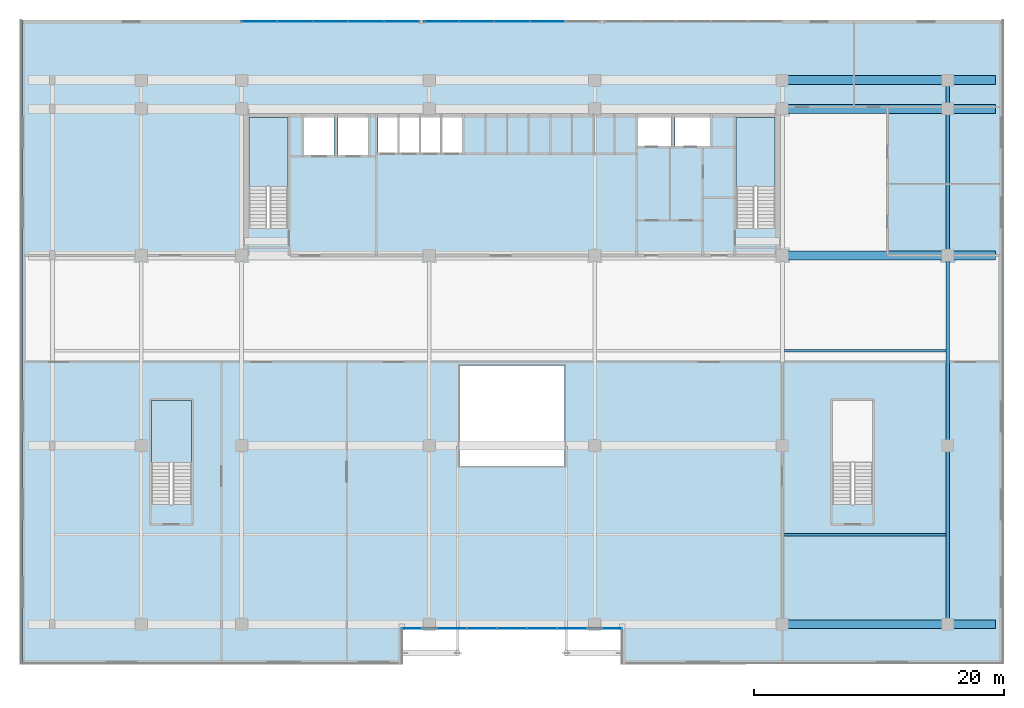
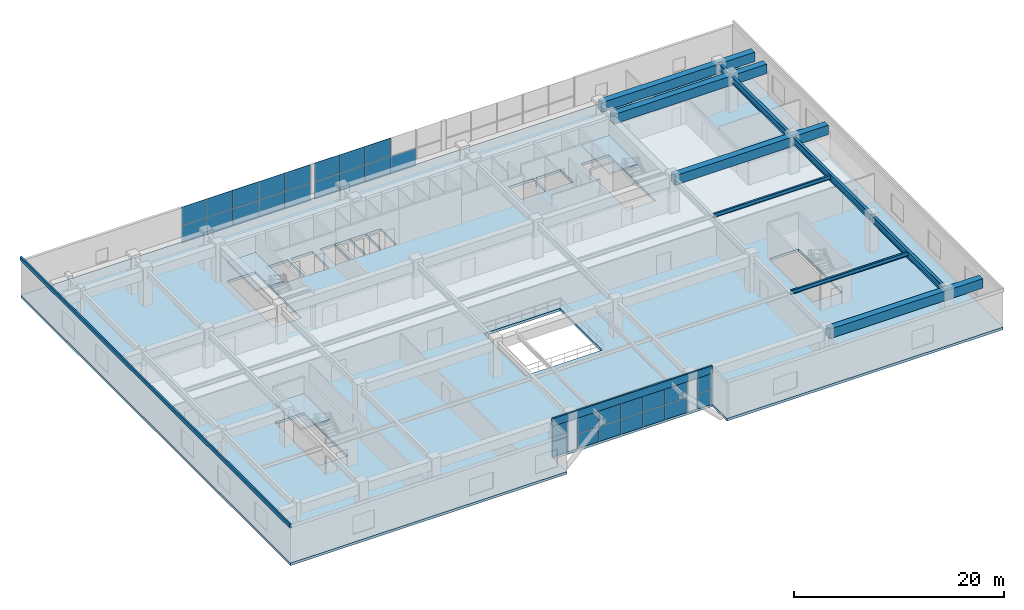
# One storey, part 10 of 21: 33 plates, 10 beams, 4 slabs, 8 elements without a shape of their own.
"""IFC4 building model written with IfcOpenShell, lengths in metres."""

from ifc_helpers import new_model, si_unit, direction, frame, origin, origin_2d, place, context, subcontext, project, spatial, polyline, rectangle, i_section, outline, extrude, source, transform, mapped, material, layer, layer_set, material_profile, profile_set, type_object, element, aggregate, save


model = new_model("IFC4")

# Units and contexts
model_context = context("Model", 3, precision=1e-05, world=origin(), true_north=direction((0.0, 1.0)))
body_context = subcontext(model_context, "Body", "Model", "MODEL_VIEW")
ifc_project = project(units=[si_unit("LENGTHUNIT", "METRE"), si_unit("AREAUNIT", "SQUARE_METRE"), si_unit("VOLUMEUNIT", "CUBIC_METRE"), si_unit("PLANEANGLEUNIT", "RADIAN"), si_unit("MASSUNIT", "GRAM", prefix="KILO")], contexts=[model_context])

# Site, building, storey
site_placement = place(None, origin())
site = spatial("IfcSite", under=ifc_project, at=site_placement, CompositionType="ELEMENT")
building_placement = place(site_placement, origin())
building = spatial("IfcBuilding", under=site, at=building_placement, Name="Trelvane Seafront Commons", CompositionType="ELEMENT")
storey_placement = place(building_placement, frame((0.0, 0.0, 14.199951171875)))
storey = spatial("IfcBuildingStorey", under=building, at=storey_placement, Name="L03", CompositionType="ELEMENT", Elevation=14.199951171875)

# Beams
ifc_material_1 = material(Name="Steel SM355 (S355)", Category="steel")
ifc_material_profile_1 = material_profile(ifc_material_1, i_section(OverallWidth=0.300048828125, OverallDepth=0.800048828125, WebThickness=0.013916015625, FlangeThickness=0.02587890625, at=origin_2d()), Name="H-800x300x14x26")
ifc_profile_set_1 = profile_set([ifc_material_profile_1], Name="Steel SM355 (S355)")
beam_type_1 = type_object("IfcBeamType", Name="STR-BM-H800", PredefinedType="BEAM", material=ifc_profile_set_1)
shared_shape_1 = source(origin(), body_context, "Body", "SweptSolid", [
    extrude(i_section(OverallWidth=0.300048828125, OverallDepth=0.800048828125, WebThickness=0.013916015625, FlangeThickness=0.02587890625, at=origin_2d()), origin(), (0.0, 0.0, 1.0), 13.949951171875),
])
beam_1_placement = place(storey_placement, frame((72.0, 4.10009765625, 3.75), z_axis=(0.0, 1.0, 0.0), x_axis=(-1.0, 0.0, 0.0)))
element("IfcBeam", 1, at=beam_1_placement, inside=storey, type_object=beam_type_1, Name="L03 Primary Girder G-55", PredefinedType="BEAM", context=body_context, shape_type="MappedRepresentation", body=[
    mapped(shared_shape_1, transform((0.0, 0.0, 0.0), x_axis=(1.0, 0.0, 0.0), y_axis=(0.0, 1.0, 0.0), z_axis=(0.0, 0.0, 1.0), scale=1.0)),
])
shared_shape_2 = source(origin(), body_context, "Body", "SweptSolid", [
    extrude(i_section(OverallWidth=0.300048828125, OverallDepth=0.800048828125, WebThickness=0.013916015625, FlangeThickness=0.02587890625, at=origin_2d()), origin(), (0.0, 0.0, 1.0), 14.89990234375),
])
beam_2_placement = place(storey_placement, frame((72.0, 18.35009765625, 3.75), z_axis=(0.0, 1.0, 0.0), x_axis=(-1.0, 0.0, 0.0)))
element("IfcBeam", 2, at=beam_2_placement, inside=storey, type_object=beam_type_1, Name="L03 Primary Girder G-56", PredefinedType="BEAM", context=body_context, shape_type="MappedRepresentation", body=[
    mapped(shared_shape_2, transform((0.0, 0.0, 0.0), x_axis=(1.0, 0.0, 0.0), y_axis=(0.0, 1.0, 0.0), z_axis=(0.0, 0.0, 1.0), scale=1.0)),
])
shared_shape_3 = source(origin(), body_context, "Body", "SweptSolid", [
    extrude(i_section(OverallWidth=0.300048828125, OverallDepth=0.800048828125, WebThickness=0.013916015625, FlangeThickness=0.02587890625, at=origin_2d()), origin(), (0.0, 0.0, 1.0), 11.39990234375),
])
beam_3_placement = place(storey_placement, frame((72.0, 33.550048828125, 3.75), z_axis=(0.0, 1.0, 0.0), x_axis=(-1.0, 0.0, 0.0)))
element("IfcBeam", 3, at=beam_3_placement, inside=storey, type_object=beam_type_1, Name="L03 Primary Girder G-57", PredefinedType="BEAM", context=body_context, shape_type="MappedRepresentation", body=[
    mapped(shared_shape_3, transform((0.0, 0.0, 0.0), x_axis=(1.0, 0.0, 0.0), y_axis=(0.0, 1.0, 0.0), z_axis=(0.0, 0.0, 1.0), scale=1.0)),
])
shared_shape_4 = source(origin(), body_context, "Body", "SweptSolid", [
    extrude(i_section(OverallWidth=0.300048828125, OverallDepth=0.800048828125, WebThickness=0.013916015625, FlangeThickness=0.02587890625, at=origin_2d()), origin(), (0.0, 0.0, 1.0), 2.0),
])
beam_4_placement = place(storey_placement, frame((72.0, 45.25, 3.75), z_axis=(0.0, 1.0, 0.0), x_axis=(-1.0, 0.0, 0.0)))
element("IfcBeam", 4, at=beam_4_placement, inside=storey, type_object=beam_type_1, Name="L03 Primary Girder G-58", PredefinedType="BEAM", context=body_context, shape_type="MappedRepresentation", body=[
    mapped(shared_shape_4, transform((0.0, 0.0, 0.0), x_axis=(1.0, 0.0, 0.0), y_axis=(0.0, 1.0, 0.0), z_axis=(0.0, 0.0, 1.0), scale=1.0)),
])
ifc_material_profile_2 = material_profile(ifc_material_1, i_section(OverallWidth=0.199951171875, OverallDepth=0.449951171875, WebThickness=0.009033203125, FlangeThickness=0.013916015625, at=origin_2d()), Name="H-450x200x9x14")
ifc_profile_set_2 = profile_set([ifc_material_profile_2], Name="Steel SM355 (S355)")
beam_type_2 = type_object("IfcBeamType", Name="STR-JST-H450", PredefinedType="JOIST", material=ifc_profile_set_2)
shared_shape_5 = source(origin(), body_context, "Body", "SweptSolid", [
    extrude(i_section(OverallWidth=0.199951171875, OverallDepth=0.449951171875, WebThickness=0.009033203125, FlangeThickness=0.013916015625, at=origin_2d()), origin(), (0.0, 0.0, 1.0), 12.900146484375),
])
for number, where, z_axis, x_axis, name in (
    (5, (58.949951171875, 11.074951171875, 3.925048828125), (1.0, 0.0, 0.0), (0.0, 1.0, 0.0), "L03 Secondary Floor Joist B-64"),
    (6, (58.949951171875, 25.800048828125, 3.925048828125), (1.0, 0.0, 0.0), (0.0, 1.0, 0.0), "L03 Secondary Floor Joist B-70"),
):
    element("IfcBeam", number, at=place(storey_placement, frame(where, z_axis=z_axis, x_axis=x_axis)), inside=storey, type_object=beam_type_2, Name=name, PredefinedType="JOIST", context=body_context, shape_type="MappedRepresentation", body=[
        mapped(shared_shape_5, transform((0.0, 0.0, 0.0), x_axis=(1.0, 0.0, 0.0), y_axis=(0.0, 1.0, 0.0), z_axis=(0.0, 0.0, 1.0), scale=1.0)),
    ])
ifc_material_2 = material(Name="Concrete C50/60", Category="concrete")
ifc_material_profile_3 = material_profile(ifc_material_2, rectangle(XDim=0.699951171875, YDim=1.10009765625, at=origin_2d()), Name="RC-700x1100")
ifc_profile_set_3 = profile_set([ifc_material_profile_3], Name="Concrete C50/60")
beam_type_3 = type_object("IfcBeamType", Name="STR-TBM-RC700x1100", PredefinedType="T_BEAM", material=ifc_profile_set_3)
shared_shape_6 = source(origin(), body_context, "Body", "SweptSolid", [
    extrude(rectangle(XDim=0.699951171875, YDim=1.10009765625, at=origin_2d()), origin(), (0.0, 0.0, 1.0), 16.85009765625),
])
for number, where, z_axis, x_axis, name in (
    (7, (58.949951171875, 3.949951171875, 3.60009765625), (1.0, 0.0, 0.0), (0.0, 1.0, 0.0), "L03 Primary Girder G-06"),
    (8, (58.949951171875, 33.39990234375, 3.60009765625), (1.0, 0.0, 0.0), (0.0, 1.0, 0.0), "L03 Primary Girder G-18"),
    (9, (58.949951171875, 45.10009765625, 3.60009765625), (1.0, 0.0, 0.0), (0.0, 1.0, 0.0), "L03 Primary Girder G-24"),
    (10, (58.949951171875, 47.39990234375, 3.60009765625), (1.0, 0.0, 0.0), (0.0, 1.0, 0.0), "L03 Primary Girder G-30"),
):
    element("IfcBeam", number, at=place(storey_placement, frame(where, z_axis=z_axis, x_axis=x_axis)), inside=storey, type_object=beam_type_3, Name=name, PredefinedType="T_BEAM", context=body_context, shape_type="MappedRepresentation", body=[
        mapped(shared_shape_6, transform((0.0, 0.0, 0.0), x_axis=(1.0, 0.0, 0.0), y_axis=(0.0, 1.0, 0.0), z_axis=(0.0, 0.0, 1.0), scale=1.0)),
    ])

# Stair, slab
ifc_material_3 = material(Name="Concrete C40/50", Category="concrete")
stair_type_1 = type_object("IfcStairType", Name="ARCH-STR-ST-1-R26-173", PredefinedType="HALF_TURN_STAIR", material=ifc_material_3)
stair_1_placement = place(storey_placement, origin())
stair_1 = element("IfcStair", 11, at=stair_1_placement, inside=storey, type_object=stair_type_1, Name="L03 West Protected Firefighting Exit Stair ST-1", PredefinedType="HALF_TURN_STAIR")
ifc_layer_1 = layer(ifc_material_3, 0.199951171875, Name="ARCH-LND-200")
ifc_layer_set_1 = layer_set([ifc_layer_1], Name="Concrete C40/50")
slab_type_1 = type_object("IfcSlabType", Name="ARCH-LND-200", PredefinedType="LANDING", material=ifc_layer_set_1)
slab_1_placement = place(storey_placement, frame((0.0, 0.0, 2.050048828125)))
slab_1 = element("IfcSlab", 12, at=slab_1_placement, type_object=slab_type_1, Name="ST-1 landing 1", PredefinedType="LANDING", context=body_context, shape_type="SweptSolid", body=[
    extrude(outline(polyline([(19.300048828125, 38.909912109375), (19.300048828125, 44.39990234375), (16.199951171875, 44.39990234375), (16.199951171875, 38.909912109375), (19.300048828125, 38.909912109375)])), origin(), (0.0, 0.0, 1.0), 0.199951171875),
])
aggregate(stair_1, [slab_1])

stair_type_2 = type_object("IfcStairType", Name="ARCH-STR-ST-2-R26-173", PredefinedType="HALF_TURN_STAIR", material=ifc_material_3)
stair_2_placement = place(storey_placement, origin())
stair_2 = element("IfcStair", 13, at=stair_2_placement, inside=storey, type_object=stair_type_2, Name="L03 East Protected Firefighting Exit Stair ST-2", PredefinedType="HALF_TURN_STAIR")
slab_2_placement = place(storey_placement, frame((0.0, 0.0, 2.050048828125)))
slab_2 = element("IfcSlab", 14, at=slab_2_placement, type_object=slab_type_1, Name="ST-2 landing 1", PredefinedType="LANDING", context=body_context, shape_type="SweptSolid", body=[
    extrude(outline(polyline([(58.199951171875, 38.909912109375), (58.199951171875, 44.39990234375), (55.10009765625, 44.39990234375), (55.10009765625, 38.909912109375), (58.199951171875, 38.909912109375)])), origin(), (0.0, 0.0, 1.0), 0.199951171875),
])
aggregate(stair_2, [slab_2])

stair_type_3 = type_object("IfcStairType", Name="ARCH-STR-ST-3-R26-173", PredefinedType="HALF_TURN_STAIR", material=ifc_material_3)
stair_3_placement = place(storey_placement, origin())
stair_3 = element("IfcStair", 15, at=stair_3_placement, inside=storey, type_object=stair_type_3, Name="L03 Podium Commons West Promenade Stair ST-3", PredefinedType="HALF_TURN_STAIR")
slab_3_placement = place(storey_placement, frame((0.0, 0.0, 2.050048828125)))
slab_3 = element("IfcSlab", 16, at=slab_3_placement, type_object=slab_type_1, Name="ST-3 landing 1", PredefinedType="LANDING", context=body_context, shape_type="SweptSolid", body=[
    extrude(outline(polyline([(11.60009765625, 16.860107421875), (11.60009765625, 21.800048828125), (8.39990234375, 21.800048828125), (8.39990234375, 16.860107421875), (11.60009765625, 16.860107421875)])), origin(), (0.0, 0.0, 1.0), 0.199951171875),
])
aggregate(stair_3, [slab_3])

# Slab
ifc_layer_2 = layer(ifc_material_2, 0.300048828125, Name="STR-SLB-P300")
ifc_layer_set_2 = layer_set([ifc_layer_2], Name="Concrete C50/60")
slab_type_2 = type_object("IfcSlabType", Name="STR-SLB-P300", PredefinedType="FLOOR", material=ifc_layer_set_2)
slab_4_placement = place(storey_placement, frame((0.0, 0.0, -0.300048828125)))
element("IfcSlab", 17, at=slab_4_placement, inside=storey, type_object=slab_type_2, Name="L03 Structural Floor Slab", PredefinedType="FLOOR", context=body_context, shape_type="SweptSolid", body=[
    extrude(outline(polyline([(-2.0, 0.800048828125), (28.39990234375, 0.800048828125), (28.39990234375, 3.60009765625), (46.0, 3.60009765625), (46.0, 0.800048828125), (76.39990234375, 0.800048828125), (76.39990234375, 52.199951171875), (-2.0, 52.199951171875), (-2.0, 0.800048828125)]), holes=[polyline([(11.60009765625, 13.5), (8.39990234375, 13.5), (8.39990234375, 21.800048828125), (11.60009765625, 21.800048828125), (11.60009765625, 13.5)]), polyline([(16.199951171875, 35.550048828125), (16.199951171875, 44.39990234375), (19.300048828125, 44.39990234375), (19.300048828125, 35.550048828125), (16.199951171875, 35.550048828125)]), polyline([(20.60009765625, 41.39990234375), (20.60009765625, 44.60009765625), (23.0, 44.60009765625), (23.0, 41.39990234375), (20.60009765625, 41.39990234375)]), polyline([(25.699951171875, 41.39990234375), (23.300048828125, 41.39990234375), (23.300048828125, 44.60009765625), (25.699951171875, 44.60009765625), (25.699951171875, 41.39990234375)]), polyline([(26.5, 41.60009765625), (26.5, 44.60009765625), (28.1201171875, 44.60009765625), (28.1201171875, 41.60009765625), (26.5, 41.60009765625)]), polyline([(28.199951171875, 41.60009765625), (28.199951171875, 44.60009765625), (29.820068359375, 44.60009765625), (29.820068359375, 41.60009765625), (28.199951171875, 41.60009765625)]), polyline([(31.52001953125, 41.60009765625), (29.89990234375, 41.60009765625), (29.89990234375, 44.60009765625), (31.52001953125, 44.60009765625), (31.52001953125, 41.60009765625)]), polyline([(62.800048828125, 13.5), (62.800048828125, 21.800048828125), (66.0, 21.800048828125), (66.0, 13.5), (62.800048828125, 13.5)]), polyline([(33.0, 16.60009765625), (33.0, 24.60009765625), (41.39990234375, 24.60009765625), (41.39990234375, 16.60009765625), (33.0, 16.60009765625)]), polyline([(55.10009765625, 35.550048828125), (55.10009765625, 44.39990234375), (58.199951171875, 44.39990234375), (58.199951171875, 35.550048828125), (55.10009765625, 35.550048828125)]), polyline([(31.60009765625, 41.60009765625), (31.60009765625, 44.60009765625), (33.219970703125, 44.60009765625), (33.219970703125, 41.60009765625), (31.60009765625, 41.60009765625)]), polyline([(47.25, 42.14990234375), (47.25, 44.550048828125), (49.949951171875, 44.550048828125), (49.949951171875, 42.14990234375), (47.25, 42.14990234375)]), polyline([(50.199951171875, 42.14990234375), (50.199951171875, 44.550048828125), (53.0, 44.550048828125), (53.0, 42.14990234375), (50.199951171875, 42.14990234375)])]), origin(), (0.0, 0.0, 1.0), 0.300048828125),
])

# Curtain wall, plates
ifc_material_4 = material(Name="Anodised pale-silver aluminium", Category="aluminium")
curtain_wall_type = type_object("IfcCurtainWallType", Name="ARCH-CW1-PODIUM", PredefinedType="NOTDEFINED", material=ifc_material_4)
curtain_wall_1_placement = place(storey_placement, origin())
curtain_wall_1 = element("IfcCurtainWall", 18, at=curtain_wall_1_placement, inside=storey, type_object=curtain_wall_type, Name="CW-L03-0019", PredefinedType="NOTDEFINED")
ifc_material_5 = material(Name="Low-E coastal double glazing", Category="glass")
ifc_layer_3 = layer(ifc_material_5, 0.033935546875, Name="ARCH-CW-GLAZ-34")
ifc_layer_set_3 = layer_set([ifc_layer_3], Name="Low-E coastal double glazing")
plate_type_1 = type_object("IfcPlateType", Name="ARCH-CW-GLAZ-34", PredefinedType="CURTAIN_PANEL", material=ifc_layer_set_3)
shared_shape_7 = source(origin(), body_context, "Body", "SweptSolid", [
    extrude(rectangle(XDim=2.81591796875, YDim=0.035888671875, at=origin_2d()), origin(), (0.0, 0.0, 1.0), 1.97412109375),
])
plate_1_placement = place(storey_placement, frame((17.02001953125, 52.070068359375, 0.0), z_axis=(0.0, 0.0, 1.0), x_axis=(1.0, 0.0, 0.0)))
plate_1 = element("IfcPlate", 19, at=plate_1_placement, type_object=plate_type_1, Name="CW-L03-0019-P00-1", PredefinedType="CURTAIN_PANEL", context=body_context, shape_type="MappedRepresentation", body=[
    mapped(shared_shape_7, transform((0.0, 0.0, 0.0), x_axis=(1.0, 0.0, 0.0), y_axis=(0.0, 1.0, 0.0), z_axis=(0.0, 0.0, 1.0), scale=1.0)),
])
plate_2_placement = place(storey_placement, frame((19.860107421875, 52.070068359375, 0.0), z_axis=(0.0, 0.0, 1.0), x_axis=(1.0, 0.0, 0.0)))
plate_2 = element("IfcPlate", 20, at=plate_2_placement, type_object=plate_type_1, Name="CW-L03-0019-P01-1", PredefinedType="CURTAIN_PANEL", context=body_context, shape_type="MappedRepresentation", body=[
    mapped(shared_shape_7, transform((0.0, 0.0, 0.0), x_axis=(1.0, 0.0, 0.0), y_axis=(0.0, 1.0, 0.0), z_axis=(0.0, 0.0, 1.0), scale=1.0)),
])
plate_3_placement = place(storey_placement, frame((22.699951171875, 52.070068359375, 0.0), z_axis=(0.0, 0.0, 1.0), x_axis=(1.0, 0.0, 0.0)))
plate_3 = element("IfcPlate", 21, at=plate_3_placement, type_object=plate_type_1, Name="CW-L03-0019-P02-1", PredefinedType="CURTAIN_PANEL", context=body_context, shape_type="MappedRepresentation", body=[
    mapped(shared_shape_7, transform((0.0, 0.0, 0.0), x_axis=(1.0, 0.0, 0.0), y_axis=(0.0, 1.0, 0.0), z_axis=(0.0, 0.0, 1.0), scale=1.0)),
])
plate_4_placement = place(storey_placement, frame((25.5400390625, 52.070068359375, 0.0), z_axis=(0.0, 0.0, 1.0), x_axis=(1.0, 0.0, 0.0)))
plate_4 = element("IfcPlate", 22, at=plate_4_placement, type_object=plate_type_1, Name="CW-L03-0019-P03-1", PredefinedType="CURTAIN_PANEL", context=body_context, shape_type="MappedRepresentation", body=[
    mapped(shared_shape_7, transform((0.0, 0.0, 0.0), x_axis=(1.0, 0.0, 0.0), y_axis=(0.0, 1.0, 0.0), z_axis=(0.0, 0.0, 1.0), scale=1.0)),
])
plate_5_placement = place(storey_placement, frame((28.3798828125, 52.070068359375, 0.0), z_axis=(0.0, 0.0, 1.0), x_axis=(1.0, 0.0, 0.0)))
plate_5 = element("IfcPlate", 23, at=plate_5_placement, type_object=plate_type_1, Name="CW-L03-0019-P04-1", PredefinedType="CURTAIN_PANEL", context=body_context, shape_type="MappedRepresentation", body=[
    mapped(shared_shape_7, transform((0.0, 0.0, 0.0), x_axis=(1.0, 0.0, 0.0), y_axis=(0.0, 1.0, 0.0), z_axis=(0.0, 0.0, 1.0), scale=1.0)),
])
shared_shape_8 = source(origin(), body_context, "Body", "SweptSolid", [
    extrude(rectangle(XDim=2.81591796875, YDim=0.035888671875, at=origin_2d()), origin(), (0.0, 0.0, 1.0), 2.139892578125),
])
plate_6_placement = place(storey_placement, frame((17.02001953125, 52.070068359375, 2.01025390625), z_axis=(0.0, 0.0, 1.0), x_axis=(1.0, 0.0, 0.0)))
plate_6 = element("IfcPlate", 24, at=plate_6_placement, type_object=plate_type_1, Name="CW-L03-0019-P00-2", PredefinedType="CURTAIN_PANEL", context=body_context, shape_type="MappedRepresentation", body=[
    mapped(shared_shape_8, transform((0.0, 0.0, 0.0), x_axis=(1.0, 0.0, 0.0), y_axis=(0.0, 1.0, 0.0), z_axis=(0.0, 0.0, 1.0), scale=1.0)),
])
plate_7_placement = place(storey_placement, frame((19.860107421875, 52.070068359375, 2.01025390625), z_axis=(0.0, 0.0, 1.0), x_axis=(1.0, 0.0, 0.0)))
plate_7 = element("IfcPlate", 25, at=plate_7_placement, type_object=plate_type_1, Name="CW-L03-0019-P01-2", PredefinedType="CURTAIN_PANEL", context=body_context, shape_type="MappedRepresentation", body=[
    mapped(shared_shape_8, transform((0.0, 0.0, 0.0), x_axis=(1.0, 0.0, 0.0), y_axis=(0.0, 1.0, 0.0), z_axis=(0.0, 0.0, 1.0), scale=1.0)),
])
plate_8_placement = place(storey_placement, frame((22.699951171875, 52.070068359375, 2.01025390625), z_axis=(0.0, 0.0, 1.0), x_axis=(1.0, 0.0, 0.0)))
plate_8 = element("IfcPlate", 26, at=plate_8_placement, type_object=plate_type_1, Name="CW-L03-0019-P02-2", PredefinedType="CURTAIN_PANEL", context=body_context, shape_type="MappedRepresentation", body=[
    mapped(shared_shape_8, transform((0.0, 0.0, 0.0), x_axis=(1.0, 0.0, 0.0), y_axis=(0.0, 1.0, 0.0), z_axis=(0.0, 0.0, 1.0), scale=1.0)),
])
plate_9_placement = place(storey_placement, frame((25.5400390625, 52.070068359375, 2.01025390625), z_axis=(0.0, 0.0, 1.0), x_axis=(1.0, 0.0, 0.0)))
plate_9 = element("IfcPlate", 27, at=plate_9_placement, type_object=plate_type_1, Name="CW-L03-0019-P03-2", PredefinedType="CURTAIN_PANEL", context=body_context, shape_type="MappedRepresentation", body=[
    mapped(shared_shape_8, transform((0.0, 0.0, 0.0), x_axis=(1.0, 0.0, 0.0), y_axis=(0.0, 1.0, 0.0), z_axis=(0.0, 0.0, 1.0), scale=1.0)),
])
plate_10_placement = place(storey_placement, frame((28.3798828125, 52.070068359375, 2.01025390625), z_axis=(0.0, 0.0, 1.0), x_axis=(1.0, 0.0, 0.0)))
plate_10 = element("IfcPlate", 28, at=plate_10_placement, type_object=plate_type_1, Name="CW-L03-0019-P04-2", PredefinedType="CURTAIN_PANEL", context=body_context, shape_type="MappedRepresentation", body=[
    mapped(shared_shape_8, transform((0.0, 0.0, 0.0), x_axis=(1.0, 0.0, 0.0), y_axis=(0.0, 1.0, 0.0), z_axis=(0.0, 0.0, 1.0), scale=1.0)),
])
aggregate(curtain_wall_1, [plate_1, plate_6, plate_2, plate_7, plate_3, plate_8, plate_4, plate_9, plate_5, plate_10])

curtain_wall_2_placement = place(storey_placement, origin())
curtain_wall_2 = element("IfcCurtainWall", 29, at=curtain_wall_2_placement, inside=storey, type_object=curtain_wall_type, Name="CW-L03-0020", PredefinedType="NOTDEFINED")
shared_shape_9 = source(origin(), body_context, "Body", "SweptSolid", [
    extrude(rectangle(XDim=2.77587890625, YDim=0.035888671875, at=origin_2d()), origin(), (0.0, 0.0, 1.0), 1.97412109375),
])
plate_11_placement = place(storey_placement, frame((31.60009765625, 52.070068359375, 0.0), z_axis=(0.0, 0.0, 1.0), x_axis=(1.0, 0.0, 0.0)))
plate_11 = element("IfcPlate", 30, at=plate_11_placement, type_object=plate_type_1, Name="CW-L03-0020-P00-1", PredefinedType="CURTAIN_PANEL", context=body_context, shape_type="MappedRepresentation", body=[
    mapped(shared_shape_9, transform((0.0, 0.0, 0.0), x_axis=(1.0, 0.0, 0.0), y_axis=(0.0, 1.0, 0.0), z_axis=(0.0, 0.0, 1.0), scale=1.0)),
])
plate_12_placement = place(storey_placement, frame((34.39990234375, 52.070068359375, 0.0), z_axis=(0.0, 0.0, 1.0), x_axis=(1.0, 0.0, 0.0)))
plate_12 = element("IfcPlate", 31, at=plate_12_placement, type_object=plate_type_1, Name="CW-L03-0020-P01-1", PredefinedType="CURTAIN_PANEL", context=body_context, shape_type="MappedRepresentation", body=[
    mapped(shared_shape_9, transform((0.0, 0.0, 0.0), x_axis=(1.0, 0.0, 0.0), y_axis=(0.0, 1.0, 0.0), z_axis=(0.0, 0.0, 1.0), scale=1.0)),
])
plate_13_placement = place(storey_placement, frame((37.199951171875, 52.070068359375, 0.0), z_axis=(0.0, 0.0, 1.0), x_axis=(1.0, 0.0, 0.0)))
plate_13 = element("IfcPlate", 32, at=plate_13_placement, type_object=plate_type_1, Name="CW-L03-0020-P02-1", PredefinedType="CURTAIN_PANEL", context=body_context, shape_type="MappedRepresentation", body=[
    mapped(shared_shape_9, transform((0.0, 0.0, 0.0), x_axis=(1.0, 0.0, 0.0), y_axis=(0.0, 1.0, 0.0), z_axis=(0.0, 0.0, 1.0), scale=1.0)),
])
plate_14_placement = place(storey_placement, frame((40.0, 52.070068359375, 0.0), z_axis=(0.0, 0.0, 1.0), x_axis=(1.0, 0.0, 0.0)))
plate_14 = element("IfcPlate", 33, at=plate_14_placement, type_object=plate_type_1, Name="CW-L03-0020-P03-1", PredefinedType="CURTAIN_PANEL", context=body_context, shape_type="MappedRepresentation", body=[
    mapped(shared_shape_9, transform((0.0, 0.0, 0.0), x_axis=(1.0, 0.0, 0.0), y_axis=(0.0, 1.0, 0.0), z_axis=(0.0, 0.0, 1.0), scale=1.0)),
])
shared_shape_10 = source(origin(), body_context, "Body", "SweptSolid", [
    extrude(rectangle(XDim=2.77587890625, YDim=0.035888671875, at=origin_2d()), origin(), (0.0, 0.0, 1.0), 2.139892578125),
])
plate_15_placement = place(storey_placement, frame((31.60009765625, 52.070068359375, 2.01025390625), z_axis=(0.0, 0.0, 1.0), x_axis=(1.0, 0.0, 0.0)))
plate_15 = element("IfcPlate", 34, at=plate_15_placement, type_object=plate_type_1, Name="CW-L03-0020-P00-2", PredefinedType="CURTAIN_PANEL", context=body_context, shape_type="MappedRepresentation", body=[
    mapped(shared_shape_10, transform((0.0, 0.0, 0.0), x_axis=(1.0, 0.0, 0.0), y_axis=(0.0, 1.0, 0.0), z_axis=(0.0, 0.0, 1.0), scale=1.0)),
])
plate_16_placement = place(storey_placement, frame((34.39990234375, 52.070068359375, 2.01025390625), z_axis=(0.0, 0.0, 1.0), x_axis=(1.0, 0.0, 0.0)))
plate_16 = element("IfcPlate", 35, at=plate_16_placement, type_object=plate_type_1, Name="CW-L03-0020-P01-2", PredefinedType="CURTAIN_PANEL", context=body_context, shape_type="MappedRepresentation", body=[
    mapped(shared_shape_10, transform((0.0, 0.0, 0.0), x_axis=(1.0, 0.0, 0.0), y_axis=(0.0, 1.0, 0.0), z_axis=(0.0, 0.0, 1.0), scale=1.0)),
])
plate_17_placement = place(storey_placement, frame((37.199951171875, 52.070068359375, 2.01025390625), z_axis=(0.0, 0.0, 1.0), x_axis=(1.0, 0.0, 0.0)))
plate_17 = element("IfcPlate", 36, at=plate_17_placement, type_object=plate_type_1, Name="CW-L03-0020-P02-2", PredefinedType="CURTAIN_PANEL", context=body_context, shape_type="MappedRepresentation", body=[
    mapped(shared_shape_10, transform((0.0, 0.0, 0.0), x_axis=(1.0, 0.0, 0.0), y_axis=(0.0, 1.0, 0.0), z_axis=(0.0, 0.0, 1.0), scale=1.0)),
])
aggregate(curtain_wall_2, [plate_11, plate_15, plate_12, plate_16, plate_13, plate_17, plate_14])

# Plate
ifc_layer_4 = layer(ifc_material_4, 0.179931640625, Name="ARCH-PLATE-AERO")
ifc_layer_set_4 = layer_set([ifc_layer_4], Name="Anodised pale-silver aluminium")
plate_type_2 = type_object("IfcPlateType", Name="ARCH-PLATE-AERO", PredefinedType="SHEET", material=ifc_layer_set_4)
shared_shape_11 = source(origin(), body_context, "Body", "SweptSolid", [
    extrude(rectangle(XDim=51.39990234375, YDim=0.179931640625, at=origin_2d()), origin(), (0.0, 0.0, 1.0), 0.429931640625),
])
plate_18_placement = place(storey_placement, frame((-2.0, 26.5, 4.08984375), z_axis=(0.0, 0.0, 1.0), x_axis=(0.0, 1.0, 0.0)))
element("IfcPlate", 37, at=plate_18_placement, inside=storey, type_object=plate_type_2, Name="AER-L03-00012", PredefinedType="SHEET", context=body_context, shape_type="MappedRepresentation", body=[
    mapped(shared_shape_11, transform((0.0, 0.0, 0.0), x_axis=(1.0, 0.0, 0.0), y_axis=(0.0, 1.0, 0.0), z_axis=(0.0, 0.0, 1.0), scale=1.0)),
])

# Curtain wall, plate
curtain_wall_3_placement = place(storey_placement, origin())
curtain_wall_3 = element("IfcCurtainWall", 38, at=curtain_wall_3_placement, inside=storey, type_object=curtain_wall_type, Name="CW-L03-VP-0022", PredefinedType="NOTDEFINED")
shared_shape_12 = source(origin(), body_context, "Body", "SweptSolid", [
    extrude(rectangle(XDim=1.6259765625, YDim=0.035888671875, at=origin_2d()), origin(), (0.0, 0.0, 1.0), 1.72412109375),
])
plate_19_placement = place(storey_placement, frame((45.175048828125, 3.60009765625, 0.0), z_axis=(0.0, 0.0, 1.0), x_axis=(-1.0, 0.0, 0.0)))
plate_19 = element("IfcPlate", 39, at=plate_19_placement, type_object=plate_type_1, Name="CW-L03-VP-0022-P00-1", PredefinedType="CURTAIN_PANEL", context=body_context, shape_type="MappedRepresentation", body=[
    mapped(shared_shape_12, transform((0.0, 0.0, 0.0), x_axis=(1.0, 0.0, 0.0), y_axis=(0.0, 1.0, 0.0), z_axis=(0.0, 0.0, 1.0), scale=1.0)),
])

curtain_wall_4_placement = place(storey_placement, origin())
curtain_wall_4 = element("IfcCurtainWall", 40, at=curtain_wall_4_placement, inside=storey, type_object=curtain_wall_type, Name="CW-L03-VP-0024", PredefinedType="NOTDEFINED")
plate_20_placement = place(storey_placement, frame((29.22509765625, 3.60009765625, 0.0), z_axis=(0.0, 0.0, 1.0), x_axis=(-1.0, 0.0, 0.0)))
plate_20 = element("IfcPlate", 41, at=plate_20_placement, type_object=plate_type_1, Name="CW-L03-VP-0024-P00-1", PredefinedType="CURTAIN_PANEL", context=body_context, shape_type="MappedRepresentation", body=[
    mapped(shared_shape_12, transform((0.0, 0.0, 0.0), x_axis=(1.0, 0.0, 0.0), y_axis=(0.0, 1.0, 0.0), z_axis=(0.0, 0.0, 1.0), scale=1.0)),
])

# Plate
shared_shape_13 = source(origin(), body_context, "Body", "SweptSolid", [
    extrude(rectangle(XDim=1.6259765625, YDim=0.035888671875, at=origin_2d()), origin(), (0.0, 0.0, 1.0), 1.8701171875),
])
plate_21_placement = place(storey_placement, frame((45.175048828125, 3.60009765625, 1.760009765625), z_axis=(0.0, 0.0, 1.0), x_axis=(-1.0, 0.0, 0.0)))
plate_21 = element("IfcPlate", 42, at=plate_21_placement, type_object=plate_type_1, Name="CW-L03-VP-0022-P00-2", PredefinedType="CURTAIN_PANEL", context=body_context, shape_type="MappedRepresentation", body=[
    mapped(shared_shape_13, transform((0.0, 0.0, 0.0), x_axis=(1.0, 0.0, 0.0), y_axis=(0.0, 1.0, 0.0), z_axis=(0.0, 0.0, 1.0), scale=1.0)),
])

aggregate(curtain_wall_3, [plate_19, plate_21])

plate_22_placement = place(storey_placement, frame((29.22509765625, 3.60009765625, 1.760009765625), z_axis=(0.0, 0.0, 1.0), x_axis=(-1.0, 0.0, 0.0)))
plate_22 = element("IfcPlate", 43, at=plate_22_placement, type_object=plate_type_1, Name="CW-L03-VP-0024-P00-2", PredefinedType="CURTAIN_PANEL", context=body_context, shape_type="MappedRepresentation", body=[
    mapped(shared_shape_13, transform((0.0, 0.0, 0.0), x_axis=(1.0, 0.0, 0.0), y_axis=(0.0, 1.0, 0.0), z_axis=(0.0, 0.0, 1.0), scale=1.0)),
])

aggregate(curtain_wall_4, [plate_20, plate_22])

# Curtain wall, plates
curtain_wall_5_placement = place(storey_placement, origin())
curtain_wall_5 = element("IfcCurtainWall", 44, at=curtain_wall_5_placement, inside=storey, type_object=curtain_wall_type, Name="CW-L03-VP-0023", PredefinedType="NOTDEFINED")
shared_shape_14 = source(origin(), body_context, "Body", "SweptSolid", [
    extrude(rectangle(XDim=2.39599609375, YDim=0.035888671875, at=origin_2d()), origin(), (0.0, 0.0, 1.0), 1.72412109375),
])
plate_23_placement = place(storey_placement, frame((42.0400390625, 3.60009765625, 0.0), z_axis=(0.0, 0.0, 1.0), x_axis=(-1.0, 0.0, 0.0)))
plate_23 = element("IfcPlate", 45, at=plate_23_placement, type_object=plate_type_1, Name="CW-L03-VP-0023-P00-1", PredefinedType="CURTAIN_PANEL", context=body_context, shape_type="MappedRepresentation", body=[
    mapped(shared_shape_14, transform((0.0, 0.0, 0.0), x_axis=(1.0, 0.0, 0.0), y_axis=(0.0, 1.0, 0.0), z_axis=(0.0, 0.0, 1.0), scale=1.0)),
])
plate_24_placement = place(storey_placement, frame((39.6201171875, 3.60009765625, 0.0), z_axis=(0.0, 0.0, 1.0), x_axis=(-1.0, 0.0, 0.0)))
plate_24 = element("IfcPlate", 46, at=plate_24_placement, type_object=plate_type_1, Name="CW-L03-VP-0023-P01-1", PredefinedType="CURTAIN_PANEL", context=body_context, shape_type="MappedRepresentation", body=[
    mapped(shared_shape_14, transform((0.0, 0.0, 0.0), x_axis=(1.0, 0.0, 0.0), y_axis=(0.0, 1.0, 0.0), z_axis=(0.0, 0.0, 1.0), scale=1.0)),
])
plate_25_placement = place(storey_placement, frame((37.199951171875, 3.60009765625, 0.0), z_axis=(0.0, 0.0, 1.0), x_axis=(-1.0, 0.0, 0.0)))
plate_25 = element("IfcPlate", 47, at=plate_25_placement, type_object=plate_type_1, Name="CW-L03-VP-0023-P02-1", PredefinedType="CURTAIN_PANEL", context=body_context, shape_type="MappedRepresentation", body=[
    mapped(shared_shape_14, transform((0.0, 0.0, 0.0), x_axis=(1.0, 0.0, 0.0), y_axis=(0.0, 1.0, 0.0), z_axis=(0.0, 0.0, 1.0), scale=1.0)),
])
plate_26_placement = place(storey_placement, frame((34.780029296875, 3.60009765625, 0.0), z_axis=(0.0, 0.0, 1.0), x_axis=(-1.0, 0.0, 0.0)))
plate_26 = element("IfcPlate", 48, at=plate_26_placement, type_object=plate_type_1, Name="CW-L03-VP-0023-P03-1", PredefinedType="CURTAIN_PANEL", context=body_context, shape_type="MappedRepresentation", body=[
    mapped(shared_shape_14, transform((0.0, 0.0, 0.0), x_axis=(1.0, 0.0, 0.0), y_axis=(0.0, 1.0, 0.0), z_axis=(0.0, 0.0, 1.0), scale=1.0)),
])
plate_27_placement = place(storey_placement, frame((32.360107421875, 3.60009765625, 0.0), z_axis=(0.0, 0.0, 1.0), x_axis=(-1.0, 0.0, 0.0)))
plate_27 = element("IfcPlate", 49, at=plate_27_placement, type_object=plate_type_1, Name="CW-L03-VP-0023-P04-1", PredefinedType="CURTAIN_PANEL", context=body_context, shape_type="MappedRepresentation", body=[
    mapped(shared_shape_14, transform((0.0, 0.0, 0.0), x_axis=(1.0, 0.0, 0.0), y_axis=(0.0, 1.0, 0.0), z_axis=(0.0, 0.0, 1.0), scale=1.0)),
])
shared_shape_15 = source(origin(), body_context, "Body", "SweptSolid", [
    extrude(rectangle(XDim=2.39599609375, YDim=0.035888671875, at=origin_2d()), origin(), (0.0, 0.0, 1.0), 1.8701171875),
])
plate_28_placement = place(storey_placement, frame((42.0400390625, 3.60009765625, 1.760009765625), z_axis=(0.0, 0.0, 1.0), x_axis=(-1.0, 0.0, 0.0)))
plate_28 = element("IfcPlate", 50, at=plate_28_placement, type_object=plate_type_1, Name="CW-L03-VP-0023-P00-2", PredefinedType="CURTAIN_PANEL", context=body_context, shape_type="MappedRepresentation", body=[
    mapped(shared_shape_15, transform((0.0, 0.0, 0.0), x_axis=(1.0, 0.0, 0.0), y_axis=(0.0, 1.0, 0.0), z_axis=(0.0, 0.0, 1.0), scale=1.0)),
])
plate_29_placement = place(storey_placement, frame((39.6201171875, 3.60009765625, 1.760009765625), z_axis=(0.0, 0.0, 1.0), x_axis=(-1.0, 0.0, 0.0)))
plate_29 = element("IfcPlate", 51, at=plate_29_placement, type_object=plate_type_1, Name="CW-L03-VP-0023-P01-2", PredefinedType="CURTAIN_PANEL", context=body_context, shape_type="MappedRepresentation", body=[
    mapped(shared_shape_15, transform((0.0, 0.0, 0.0), x_axis=(1.0, 0.0, 0.0), y_axis=(0.0, 1.0, 0.0), z_axis=(0.0, 0.0, 1.0), scale=1.0)),
])
plate_30_placement = place(storey_placement, frame((37.199951171875, 3.60009765625, 1.760009765625), z_axis=(0.0, 0.0, 1.0), x_axis=(-1.0, 0.0, 0.0)))
plate_30 = element("IfcPlate", 52, at=plate_30_placement, type_object=plate_type_1, Name="CW-L03-VP-0023-P02-2", PredefinedType="CURTAIN_PANEL", context=body_context, shape_type="MappedRepresentation", body=[
    mapped(shared_shape_15, transform((0.0, 0.0, 0.0), x_axis=(1.0, 0.0, 0.0), y_axis=(0.0, 1.0, 0.0), z_axis=(0.0, 0.0, 1.0), scale=1.0)),
])
plate_31_placement = place(storey_placement, frame((34.780029296875, 3.60009765625, 1.760009765625), z_axis=(0.0, 0.0, 1.0), x_axis=(-1.0, 0.0, 0.0)))
plate_31 = element("IfcPlate", 53, at=plate_31_placement, type_object=plate_type_1, Name="CW-L03-VP-0023-P03-2", PredefinedType="CURTAIN_PANEL", context=body_context, shape_type="MappedRepresentation", body=[
    mapped(shared_shape_15, transform((0.0, 0.0, 0.0), x_axis=(1.0, 0.0, 0.0), y_axis=(0.0, 1.0, 0.0), z_axis=(0.0, 0.0, 1.0), scale=1.0)),
])
plate_32_placement = place(storey_placement, frame((32.360107421875, 3.60009765625, 1.760009765625), z_axis=(0.0, 0.0, 1.0), x_axis=(-1.0, 0.0, 0.0)))
plate_32 = element("IfcPlate", 54, at=plate_32_placement, type_object=plate_type_1, Name="CW-L03-VP-0023-P04-2", PredefinedType="CURTAIN_PANEL", context=body_context, shape_type="MappedRepresentation", body=[
    mapped(shared_shape_15, transform((0.0, 0.0, 0.0), x_axis=(1.0, 0.0, 0.0), y_axis=(0.0, 1.0, 0.0), z_axis=(0.0, 0.0, 1.0), scale=1.0)),
])
aggregate(curtain_wall_5, [plate_23, plate_28, plate_24, plate_29, plate_25, plate_30, plate_26, plate_31, plate_27, plate_32])

# Plate
shared_shape_16 = source(origin(), body_context, "Body", "SweptSolid", [
    extrude(rectangle(XDim=17.60009765625, YDim=0.179931640625, at=origin_2d()), origin(), (0.0, 0.0, 1.0), 0.889892578125),
])
plate_33_placement = place(storey_placement, frame((37.199951171875, 3.60009765625, 3.60986328125), z_axis=(0.0, 0.0, 1.0), x_axis=(-1.0, 0.0, 0.0)))
element("IfcPlate", 55, at=plate_33_placement, inside=storey, type_object=plate_type_2, Name="AER-L03-VP-00011", PredefinedType="SHEET", context=body_context, shape_type="MappedRepresentation", body=[
    mapped(shared_shape_16, transform((0.0, 0.0, 0.0), x_axis=(1.0, 0.0, 0.0), y_axis=(0.0, 1.0, 0.0), z_axis=(0.0, 0.0, 1.0), scale=1.0)),
])

save(model, "model.ifc")
